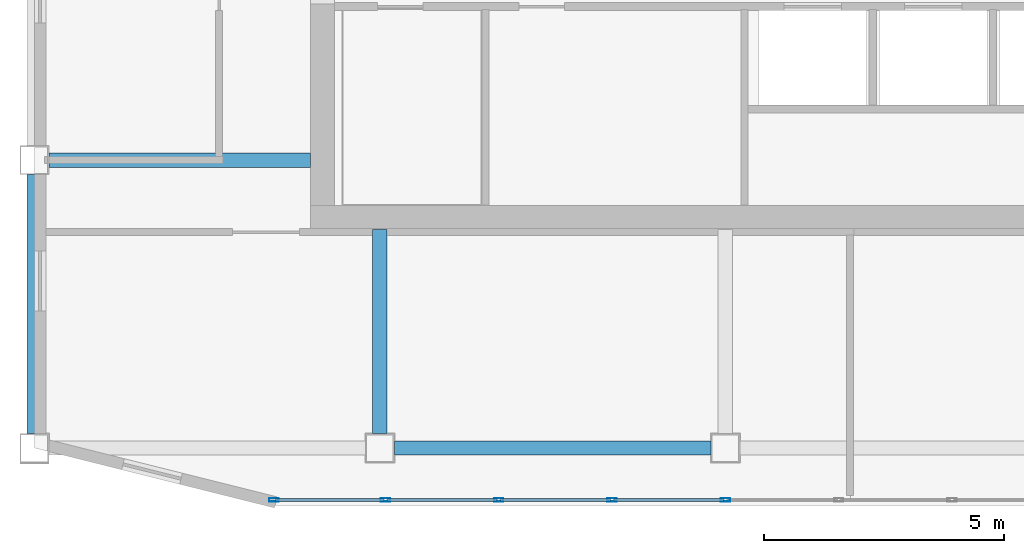
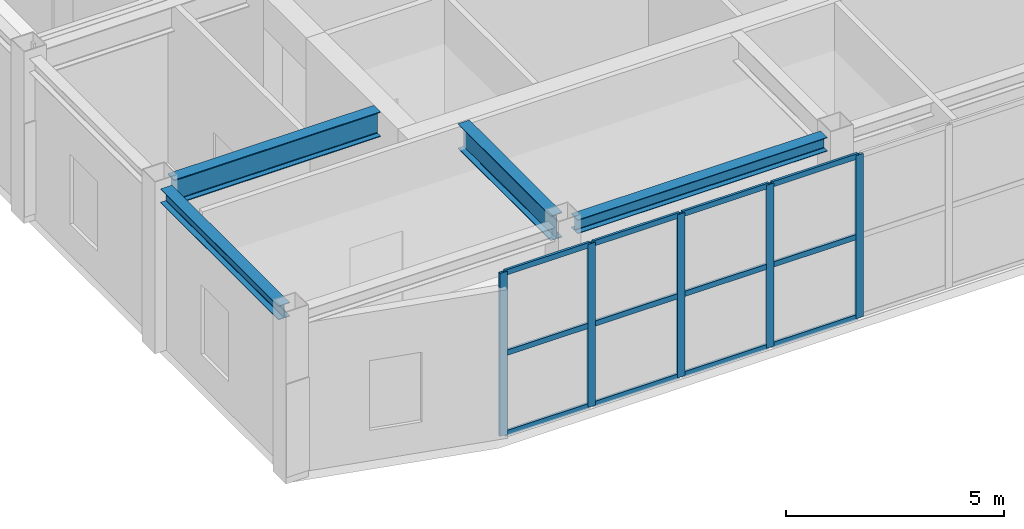
# One storey, part 2 of 11: 17 members, 4 beams, 1 element without a shape of its own.
"""IFC4 building model written with IfcOpenShell, lengths in metres."""

import ifcopenshell
import ifcopenshell.guid

model = None  # the IFC model being written
_history = None  # IfcOwnerHistory: only IFC2X3 demands one
_inside = {}  # id of a spatial element -> (the spatial element, [elements in it])
_under = {}  # id of a project, library or spatial element -> (it, [spatial elements below it])
_declared = {}  # id of a project -> (the project, [libraries it declares])
_typed = {}  # id of a type object -> (the type object, [elements of that type])
_made_of = {}  # id of a material, layer set ... -> (it, [elements and type objects made of it])


def new_model(schema):
    """Start an empty IFC model of exactly this schema.

    Asked for "IFC4X3", IfcOpenShell would pick the latest addendum, in which some entities
    have other attributes; the version numbers below select the first issue.
    IFC2X3 requires an IfcOwnerHistory on every rooted entity: one is made here for all.
    """
    global model, _history
    if schema == "IFC4X3":
        model = ifcopenshell.file(schema_version=(4, 3, 0, 0))
    else:
        model = ifcopenshell.file(schema=schema)
    _inside.clear()
    _under.clear()
    _declared.clear()
    _typed.clear()
    _made_of.clear()
    _history = None
    if model.schema == "IFC2X3":
        org = make("IfcOrganization", Name="unknown")
        user = make(
            "IfcPersonAndOrganization",
            ThePerson=make("IfcPerson", FamilyName="unknown"),
            TheOrganization=org,
        )
        app = make(
            "IfcApplication",
            ApplicationDeveloper=org,
            Version="unknown",
            ApplicationFullName="unknown",
            ApplicationIdentifier="unknown",
        )
        _history = make(
            "IfcOwnerHistory",
            OwningUser=user,
            OwningApplication=app,
            ChangeAction="ADDED",
            CreationDate=0,
        )
    return model


def make(cls, **values):
    """One entity of the class cls with the attributes given. An attribute that is None is left unset."""
    return model.create_entity(
        cls, **{name: value for name, value in values.items() if value is not None}
    )


def rooted(cls, **values):
    """An entity with a GlobalId (a new one), such as an element, a storey or a relation."""
    return make(cls, GlobalId=ifcopenshell.guid.new(), OwnerHistory=_history, **values)


def si_unit(unit_type, name, prefix=None):
    """IfcSIUnit, for example si_unit("LENGTHUNIT", "METRE", prefix="MILLI")."""
    return make("IfcSIUnit", UnitType=unit_type, Prefix=prefix, Name=name)


def assignment(units):
    """IfcUnitAssignment: the units of a project."""
    return None if units is None else make("IfcUnitAssignment", Units=units)


def point(xyz):
    """IfcCartesianPoint."""
    return None if xyz is None else make("IfcCartesianPoint", Coordinates=xyz)


def direction(xyz):
    """IfcDirection."""
    return None if xyz is None else make("IfcDirection", DirectionRatios=xyz)


def frame(location, z_axis=None, x_axis=None):
    """IfcAxis2Placement3D, a coordinate frame: its origin and axes. An axis left out is left unset."""
    return make(
        "IfcAxis2Placement3D",
        Location=point(location),
        Axis=direction(z_axis),
        RefDirection=direction(x_axis),
    )


def frame_2d(location, x_axis=None):
    """IfcAxis2Placement2D, a coordinate frame in the plane: its origin and x axis."""
    return make(
        "IfcAxis2Placement2D", Location=point(location), RefDirection=direction(x_axis)
    )


def origin():
    """The frame at (0, 0, 0) with its axes left unset."""
    return frame((0.0, 0.0, 0.0))


def origin_2d():
    """The frame at (0, 0) in the plane with its x axis left unset."""
    return frame_2d((0.0, 0.0))


def place(relative_to, where):
    """IfcLocalPlacement: puts the frame where relative to a parent placement (None: the world)."""
    return make(
        "IfcLocalPlacement", PlacementRelTo=relative_to, RelativePlacement=where
    )


def context(
    kind, dimensions, precision=None, world=None, true_north=None, identifier=None
):
    """IfcGeometricRepresentationContext, for example the 3D "Model" context."""
    return make(
        "IfcGeometricRepresentationContext",
        ContextIdentifier=identifier,
        ContextType=kind,
        CoordinateSpaceDimension=dimensions,
        Precision=precision,
        WorldCoordinateSystem=world,
        TrueNorth=true_north,
    )


def subcontext(parent, identifier, kind, view, scale=None):
    """IfcGeometricRepresentationSubContext, for example "Body" below "Model"."""
    return make(
        "IfcGeometricRepresentationSubContext",
        ContextIdentifier=identifier,
        ContextType=kind,
        ParentContext=parent,
        TargetScale=scale,
        TargetView=view,
    )


def project(units=None, contexts=None):
    """IfcProject with its units and contexts."""
    return rooted(
        "IfcProject",
        Name="project",
        RepresentationContexts=contexts,
        UnitsInContext=assignment(units),
    )


def spatial(cls, under=None, at=None, **own):
    """A site, building, storey or space (cls), placed at a placement, below another one or the project."""
    s = rooted(cls, ObjectPlacement=at, **own)
    if under is not None:
        _under.setdefault(under.id(), (under, []))[1].append(s)
    return s


def profile(cls, at=None, kind="AREA", **sizes):
    """A parametric profile (cls). Its sizes go by their IFC names, for example OverallWidth=200.0."""
    return make(cls, ProfileType=kind, Position=at, **sizes)


def hollow_rectangle(**sizes):
    """IfcRectangleHollowProfileDef."""
    return profile("IfcRectangleHollowProfileDef", **sizes)


def i_section(**sizes):
    """IfcIShapeProfileDef."""
    return profile("IfcIShapeProfileDef", **sizes)


def extrude(swept, where, along, depth):
    """IfcExtrudedAreaSolid: the profile swept, set in the frame where, extruded along a direction by depth."""
    return make(
        "IfcExtrudedAreaSolid",
        SweptArea=swept,
        Position=where,
        ExtrudedDirection=direction(along),
        Depth=depth,
    )


def shape(context_of_items, identifier, shape_type, items):
    """IfcShapeRepresentation: the items that make up one representation, for example the "Body"."""
    return make(
        "IfcShapeRepresentation",
        ContextOfItems=context_of_items,
        RepresentationIdentifier=identifier,
        RepresentationType=shape_type,
        Items=items,
    )


def material(Name=None, Category=None):
    """IfcMaterial."""
    return make("IfcMaterial", Name=Name, Category=Category)


def layer(
    of_material, thickness, ventilated=None, Name=None, Category=None, Priority=None
):
    """IfcMaterialLayer: one layer of a wall or slab, of a material (None: an air gap)."""
    return make(
        "IfcMaterialLayer",
        Material=of_material,
        LayerThickness=thickness,
        IsVentilated=ventilated,
        Name=Name,
        Category=Category,
        Priority=Priority,
    )


def layer_set(layers, Name=None):
    """IfcMaterialLayerSet."""
    return make("IfcMaterialLayerSet", MaterialLayers=layers, LayerSetName=Name)


def material_profile(
    of_material, cross_section, Name=None, Category=None, Priority=None
):
    """IfcMaterialProfile: a cross section and its material."""
    return make(
        "IfcMaterialProfile",
        Name=Name,
        Material=of_material,
        Profile=cross_section,
        Priority=Priority,
        Category=Category,
    )


def profile_set(profiles, Name=None, composite=None):
    """IfcMaterialProfileSet."""
    return make(
        "IfcMaterialProfileSet",
        Name=Name,
        MaterialProfiles=profiles,
        CompositeProfile=composite,
    )


def made_of(thing, what):
    """Note that an element or type object is made of a material, layer set ...; save() writes the relation."""
    if what is not None:
        _made_of.setdefault(what.id(), (what, []))[1].append(thing)
    return thing


def type_object(cls, material=None, **own):
    """A type object (cls), such as IfcWallType, which elements share."""
    return made_of(rooted(cls, **own), material)


def element(
    cls,
    number,
    at=None,
    inside=None,
    cuts=None,
    type_object=None,
    material=None,
    context=None,
    identifier="Body",
    shape_type=None,
    held_by="IfcProductDefinitionShape",
    body=None,
    shapes=None,
    **own,
):
    """One element of the class cls, such as IfcWall. Its Tag is "e" and its number.

    at: its placement. inside: the storey or other place that contains it. cuts: it is an
    opening in that element (IfcRelVoidsElement). A single representation is given by context,
    identifier, shape_type and body (its items); several are given by shapes. held_by: the class
    of the entity that holds the representations. save() writes the other relations.
    """
    e = rooted(cls, Tag="e%d" % number, ObjectPlacement=at, **own)
    if body is not None:
        shapes = [shape(context, identifier, shape_type, body)]
    if shapes is not None:
        e.Representation = make(held_by, Representations=shapes)
    if inside is not None:
        _inside.setdefault(inside.id(), (inside, []))[1].append(e)
    if cuts is not None:
        rooted(
            "IfcRelVoidsElement", RelatingBuildingElement=cuts, RelatedOpeningElement=e
        )
    if type_object is not None:
        _typed.setdefault(type_object.id(), (type_object, []))[1].append(e)
    return made_of(e, material)


def aggregate(whole, parts):
    """IfcRelAggregates: a whole, such as a stair, and the parts it consists of."""
    return rooted("IfcRelAggregates", RelatingObject=whole, RelatedObjects=parts)


def save(model, path):
    """Write the relations noted so far, then the file.

    IfcRelAggregates (storeys below a building ...), IfcRelContainedInSpatialStructure (elements
    in a storey), IfcRelDefinesByType, IfcRelAssociatesMaterial and IfcRelDeclares: one each for
    every whole, place, type object, material and project.
    """
    for whole, parts in _under.values():
        aggregate(whole, parts)
    for where, things in _inside.values():
        rooted(
            "IfcRelContainedInSpatialStructure",
            RelatedElements=things,
            RelatingStructure=where,
        )
    for kind, things in _typed.values():
        rooted("IfcRelDefinesByType", RelatedObjects=things, RelatingType=kind)
    for what, things in _made_of.values():
        rooted("IfcRelAssociatesMaterial", RelatedObjects=things, RelatingMaterial=what)
    for by, libraries in _declared.values():
        rooted("IfcRelDeclares", RelatingContext=by, RelatedDefinitions=libraries)
    model.write(path)


model = new_model("IFC4")

# Units and contexts
model_context = context("Model", 3, precision=1e-05, world=origin(), true_north=direction((0.0, 1.0)))
body_context = subcontext(model_context, "Body", "Model", "MODEL_VIEW")
ifc_project = project(units=[si_unit("LENGTHUNIT", "METRE"), si_unit("AREAUNIT", "SQUARE_METRE"), si_unit("VOLUMEUNIT", "CUBIC_METRE"), si_unit("PLANEANGLEUNIT", "RADIAN"), si_unit("MASSUNIT", "GRAM", prefix="KILO")], contexts=[model_context])

# Site, building, storey
site_placement = place(None, origin())
site = spatial("IfcSite", under=ifc_project, at=site_placement, CompositionType="ELEMENT")
building_placement = place(site_placement, origin())
building = spatial("IfcBuilding", under=site, at=building_placement, Name="Haolan Belvedere Tower", CompositionType="ELEMENT")
storey_placement = place(building_placement, frame((0.0, 0.0, 313.39990234375)))
storey = spatial("IfcBuildingStorey", under=building, at=storey_placement, Name="L79", CompositionType="ELEMENT", Elevation=313.39990234375)

# Beams
ifc_material_1 = material(Name="Steel Q355B", Category="steel")
ifc_material_profile_1 = material_profile(ifc_material_1, i_section(OverallWidth=0.300048828125, OverallDepth=0.389892578125, WebThickness=0.010009765625, FlangeThickness=0.01611328125, FilletRadius=0.02197265625, at=origin_2d()), Name="Steel Q355B")
ifc_profile_set_1 = profile_set([ifc_material_profile_1], Name="Steel Q355B")
beam_type_1 = type_object("IfcBeamType", Name="BM-HM390x300x10x16", PredefinedType="SPANDREL", material=ifc_profile_set_1)
beam_1_placement = place(storey_placement, frame((24.0, 21.89990234375, 4.364990234375), z_axis=(0.0, 1.0, 0.0), x_axis=(-1.0, 0.0, 0.0)))
element("IfcBeam", 1, at=beam_1_placement, inside=storey, type_object=beam_type_1, Name="L79 spandrel girder MC-T3-SW-TC-T3-W1", PredefinedType="SPANDREL", context=body_context, shape_type="SweptSolid", body=[
    extrude(i_section(OverallWidth=0.300048828125, OverallDepth=0.389892578125, WebThickness=0.010009765625, FlangeThickness=0.01611328125, FilletRadius=0.02197265625, at=origin_2d()), origin(), (0.0, 0.0, 1.0), 5.400146484375),
])
beam_2_placement = place(storey_placement, frame((31.5, 21.60009765625, 4.364990234375), z_axis=(1.0, 0.0, 0.0), x_axis=(0.0, 1.0, 0.0)))
element("IfcBeam", 2, at=beam_2_placement, inside=storey, type_object=beam_type_1, Name="L79 spandrel girder MC-T3-S1-TC-T3-SM", PredefinedType="SPANDREL", context=body_context, shape_type="SweptSolid", body=[
    extrude(i_section(OverallWidth=0.300048828125, OverallDepth=0.389892578125, WebThickness=0.010009765625, FlangeThickness=0.01611328125, FilletRadius=0.02197265625, at=origin_2d()), origin(), (0.0, 0.0, 1.0), 6.60009765625),
])
ifc_material_profile_2 = material_profile(ifc_material_1, i_section(OverallWidth=0.300048828125, OverallDepth=0.699951171875, WebThickness=0.012939453125, FlangeThickness=0.02392578125, FilletRadius=0.02587890625, at=origin_2d()), Name="Steel Q355B")
ifc_profile_set_2 = profile_set([ifc_material_profile_2], Name="Steel Q355B")
beam_type_2 = type_object("IfcBeamType", Name="BM-HN700x300x13x24", PredefinedType="BEAM", material=ifc_profile_set_2)
beam_3_placement = place(storey_placement, frame((24.300048828125, 27.60009765625, 4.210205078125), z_axis=(1.0, 0.0, 0.0), x_axis=(0.0, 1.0, 0.0)))
element("IfcBeam", 3, at=beam_3_placement, inside=storey, type_object=beam_type_2, Name="L79 core tie beam from TC-T3-W1", PredefinedType="BEAM", context=body_context, shape_type="SweptSolid", body=[
    extrude(i_section(OverallWidth=0.300048828125, OverallDepth=0.699951171875, WebThickness=0.012939453125, FlangeThickness=0.02392578125, FilletRadius=0.02587890625, at=origin_2d()), origin(), (0.0, 0.0, 1.0), 5.449951171875),
])
beam_4_placement = place(storey_placement, frame((31.199951171875, 21.89990234375, 4.210205078125), z_axis=(0.0, 1.0, 0.0), x_axis=(-1.0, 0.0, 0.0)))
element("IfcBeam", 4, at=beam_4_placement, inside=storey, type_object=beam_type_2, Name="L79 core tie beam from MC-T3-S1", PredefinedType="BEAM", context=body_context, shape_type="SweptSolid", body=[
    extrude(i_section(OverallWidth=0.300048828125, OverallDepth=0.699951171875, WebThickness=0.012939453125, FlangeThickness=0.02392578125, FilletRadius=0.02587890625, at=origin_2d()), origin(), (0.0, 0.0, 1.0), 4.25),
])

# Curtain wall, members
ifc_material_2 = material(Name="Anodised champagne-silver aluminium 6063-T6 and Low-E glass", Category="aluminium")
ifc_layer = layer(ifc_material_2, 0.195068359375, Name="Anodised champagne-silver aluminium 6063-T6 and Low-E glass")
ifc_layer_set = layer_set([ifc_layer], Name="Anodised champagne-silver aluminium 6063-T6 and Low-E glass")
curtain_wall_type = type_object("IfcCurtainWallType", Name="CW-SYS-06", PredefinedType="NOTDEFINED", material=ifc_layer_set)
curtain_wall_placement = place(storey_placement, origin())
curtain_wall = element("IfcCurtainWall", 5, at=curtain_wall_placement, inside=storey, type_object=curtain_wall_type, Name="L79 CW-SYS-06 ribbon curtain wall 1.1", PredefinedType="NOTDEFINED")
ifc_material_3 = material(Name="Anodised aluminium 6063-T6", Category="aluminium")
ifc_material_profile_3 = material_profile(ifc_material_3, hollow_rectangle(XDim=0.070068359375, YDim=0.195068359375, WallThickness=0.00390625, at=origin_2d()), Name="Anodised aluminium 6063-T6")
ifc_profile_set_3 = profile_set([ifc_material_profile_3], Name="Anodised aluminium 6063-T6")
member_type_1 = type_object("IfcMemberType", Name="CW-SYS-06-MUL", PredefinedType="MULLION", material=ifc_profile_set_3)
member_1_placement = place(storey_placement, frame((28.98974609375, 20.52001953125, 0.0), z_axis=(0.0, 0.0, 1.0), x_axis=(0.0, 1.0, 0.0)))
member_1 = element("IfcMember", 6, at=member_1_placement, type_object=member_type_1, Name="CW-06 mullion 1", PredefinedType="MULLION", context=body_context, shape_type="SweptSolid", body=[
    extrude(hollow_rectangle(XDim=0.070068359375, YDim=0.195068359375, WallThickness=0.00390625, at=origin_2d()), origin(), (0.0, 0.0, 1.0), 4.56005859375),
])
member_2_placement = place(storey_placement, frame((31.316162109375, 20.52001953125, 0.0), z_axis=(0.0, 0.0, 1.0), x_axis=(0.0, 1.0, 0.0)))
member_2 = element("IfcMember", 7, at=member_2_placement, type_object=member_type_1, Name="CW-06 mullion 2", PredefinedType="MULLION", context=body_context, shape_type="SweptSolid", body=[
    extrude(hollow_rectangle(XDim=0.070068359375, YDim=0.195068359375, WallThickness=0.00390625, at=origin_2d()), origin(), (0.0, 0.0, 1.0), 4.56005859375),
])
member_3_placement = place(storey_placement, frame((33.677490234375, 20.52001953125, 0.0), z_axis=(0.0, 0.0, 1.0), x_axis=(0.0, 1.0, 0.0)))
member_3 = element("IfcMember", 8, at=member_3_placement, type_object=member_type_1, Name="CW-06 mullion 3", PredefinedType="MULLION", context=body_context, shape_type="SweptSolid", body=[
    extrude(hollow_rectangle(XDim=0.070068359375, YDim=0.195068359375, WallThickness=0.00390625, at=origin_2d()), origin(), (0.0, 0.0, 1.0), 4.56005859375),
])
member_4_placement = place(storey_placement, frame((36.038818359375, 20.52001953125, 0.0), z_axis=(0.0, 0.0, 1.0), x_axis=(0.0, 1.0, 0.0)))
member_4 = element("IfcMember", 9, at=member_4_placement, type_object=member_type_1, Name="CW-06 mullion 4", PredefinedType="MULLION", context=body_context, shape_type="SweptSolid", body=[
    extrude(hollow_rectangle(XDim=0.070068359375, YDim=0.195068359375, WallThickness=0.00390625, at=origin_2d()), origin(), (0.0, 0.0, 1.0), 4.56005859375),
])
member_5_placement = place(storey_placement, frame((38.39990234375, 20.52001953125, 0.0), z_axis=(0.0, 0.0, 1.0), x_axis=(0.0, 1.0, 0.0)))
member_5 = element("IfcMember", 10, at=member_5_placement, type_object=member_type_1, Name="CW-06 mullion 5", PredefinedType="MULLION", context=body_context, shape_type="SweptSolid", body=[
    extrude(hollow_rectangle(XDim=0.070068359375, YDim=0.195068359375, WallThickness=0.00390625, at=origin_2d()), origin(), (0.0, 0.0, 1.0), 4.56005859375),
])
ifc_material_profile_4 = material_profile(ifc_material_3, hollow_rectangle(XDim=0.06494140625, YDim=0.14990234375, WallThickness=0.00390625, at=origin_2d()), Name="Anodised aluminium 6063-T6")
ifc_profile_set_4 = profile_set([ifc_material_profile_4], Name="Anodised aluminium 6063-T6")
member_type_2 = type_object("IfcMemberType", Name="CW-SYS-06-TRN", PredefinedType="USERDEFINED", material=ifc_profile_set_4)
member_6_placement = place(storey_placement, frame((29.02490234375, 20.52001953125, 0.03271484375), z_axis=(1.0, 0.0, 0.0), x_axis=(0.0, 1.0, 0.0)))
member_6 = element("IfcMember", 11, at=member_6_placement, type_object=member_type_2, Name="CW-06 transom 1.1", ObjectType="TRANSOM", PredefinedType="USERDEFINED", context=body_context, shape_type="SweptSolid", body=[
    extrude(hollow_rectangle(XDim=0.06494140625, YDim=0.14990234375, WallThickness=0.00390625, at=origin_2d()), origin(), (0.0, 0.0, 1.0), 2.256103515625),
])
member_7_placement = place(storey_placement, frame((29.02490234375, 20.52001953125, 2.280029296875), z_axis=(1.0, 0.0, 0.0), x_axis=(0.0, 1.0, 0.0)))
member_7 = element("IfcMember", 12, at=member_7_placement, type_object=member_type_2, Name="CW-06 transom 1.2", ObjectType="TRANSOM", PredefinedType="USERDEFINED", context=body_context, shape_type="SweptSolid", body=[
    extrude(hollow_rectangle(XDim=0.06494140625, YDim=0.14990234375, WallThickness=0.00390625, at=origin_2d()), origin(), (0.0, 0.0, 1.0), 2.256103515625),
])
member_8_placement = place(storey_placement, frame((29.02490234375, 20.52001953125, 4.527587890625), z_axis=(1.0, 0.0, 0.0), x_axis=(0.0, 1.0, 0.0)))
member_8 = element("IfcMember", 13, at=member_8_placement, type_object=member_type_2, Name="CW-06 transom 1.3", ObjectType="TRANSOM", PredefinedType="USERDEFINED", context=body_context, shape_type="SweptSolid", body=[
    extrude(hollow_rectangle(XDim=0.06494140625, YDim=0.14990234375, WallThickness=0.00390625, at=origin_2d()), origin(), (0.0, 0.0, 1.0), 2.256103515625),
])
member_9_placement = place(storey_placement, frame((31.35107421875, 20.52001953125, 0.03271484375), z_axis=(1.0, 0.0, 0.0), x_axis=(0.0, 1.0, 0.0)))
member_9 = element("IfcMember", 14, at=member_9_placement, type_object=member_type_2, Name="CW-06 transom 2.1", ObjectType="TRANSOM", PredefinedType="USERDEFINED", context=body_context, shape_type="SweptSolid", body=[
    extrude(hollow_rectangle(XDim=0.06494140625, YDim=0.14990234375, WallThickness=0.00390625, at=origin_2d()), origin(), (0.0, 0.0, 1.0), 2.291259765625),
])
member_10_placement = place(storey_placement, frame((31.35107421875, 20.52001953125, 2.280029296875), z_axis=(1.0, 0.0, 0.0), x_axis=(0.0, 1.0, 0.0)))
member_10 = element("IfcMember", 15, at=member_10_placement, type_object=member_type_2, Name="CW-06 transom 2.2", ObjectType="TRANSOM", PredefinedType="USERDEFINED", context=body_context, shape_type="SweptSolid", body=[
    extrude(hollow_rectangle(XDim=0.06494140625, YDim=0.14990234375, WallThickness=0.00390625, at=origin_2d()), origin(), (0.0, 0.0, 1.0), 2.291259765625),
])
member_11_placement = place(storey_placement, frame((31.35107421875, 20.52001953125, 4.527587890625), z_axis=(1.0, 0.0, 0.0), x_axis=(0.0, 1.0, 0.0)))
member_11 = element("IfcMember", 16, at=member_11_placement, type_object=member_type_2, Name="CW-06 transom 2.3", ObjectType="TRANSOM", PredefinedType="USERDEFINED", context=body_context, shape_type="SweptSolid", body=[
    extrude(hollow_rectangle(XDim=0.06494140625, YDim=0.14990234375, WallThickness=0.00390625, at=origin_2d()), origin(), (0.0, 0.0, 1.0), 2.291259765625),
])
member_12_placement = place(storey_placement, frame((33.71240234375, 20.52001953125, 0.03271484375), z_axis=(1.0, 0.0, 0.0), x_axis=(0.0, 1.0, 0.0)))
member_12 = element("IfcMember", 17, at=member_12_placement, type_object=member_type_2, Name="CW-06 transom 3.1", ObjectType="TRANSOM", PredefinedType="USERDEFINED", context=body_context, shape_type="SweptSolid", body=[
    extrude(hollow_rectangle(XDim=0.06494140625, YDim=0.14990234375, WallThickness=0.00390625, at=origin_2d()), origin(), (0.0, 0.0, 1.0), 2.291259765625),
])
member_13_placement = place(storey_placement, frame((33.71240234375, 20.52001953125, 2.280029296875), z_axis=(1.0, 0.0, 0.0), x_axis=(0.0, 1.0, 0.0)))
member_13 = element("IfcMember", 18, at=member_13_placement, type_object=member_type_2, Name="CW-06 transom 3.2", ObjectType="TRANSOM", PredefinedType="USERDEFINED", context=body_context, shape_type="SweptSolid", body=[
    extrude(hollow_rectangle(XDim=0.06494140625, YDim=0.14990234375, WallThickness=0.00390625, at=origin_2d()), origin(), (0.0, 0.0, 1.0), 2.291259765625),
])
member_14_placement = place(storey_placement, frame((33.71240234375, 20.52001953125, 4.527587890625), z_axis=(1.0, 0.0, 0.0), x_axis=(0.0, 1.0, 0.0)))
member_14 = element("IfcMember", 19, at=member_14_placement, type_object=member_type_2, Name="CW-06 transom 3.3", ObjectType="TRANSOM", PredefinedType="USERDEFINED", context=body_context, shape_type="SweptSolid", body=[
    extrude(hollow_rectangle(XDim=0.06494140625, YDim=0.14990234375, WallThickness=0.00390625, at=origin_2d()), origin(), (0.0, 0.0, 1.0), 2.291259765625),
])
member_15_placement = place(storey_placement, frame((36.07373046875, 20.52001953125, 0.03271484375), z_axis=(1.0, 0.0, 0.0), x_axis=(0.0, 1.0, 0.0)))
member_15 = element("IfcMember", 20, at=member_15_placement, type_object=member_type_2, Name="CW-06 transom 4.1", ObjectType="TRANSOM", PredefinedType="USERDEFINED", context=body_context, shape_type="SweptSolid", body=[
    extrude(hollow_rectangle(XDim=0.06494140625, YDim=0.14990234375, WallThickness=0.00390625, at=origin_2d()), origin(), (0.0, 0.0, 1.0), 2.291259765625),
])
member_16_placement = place(storey_placement, frame((36.07373046875, 20.52001953125, 2.280029296875), z_axis=(1.0, 0.0, 0.0), x_axis=(0.0, 1.0, 0.0)))
member_16 = element("IfcMember", 21, at=member_16_placement, type_object=member_type_2, Name="CW-06 transom 4.2", ObjectType="TRANSOM", PredefinedType="USERDEFINED", context=body_context, shape_type="SweptSolid", body=[
    extrude(hollow_rectangle(XDim=0.06494140625, YDim=0.14990234375, WallThickness=0.00390625, at=origin_2d()), origin(), (0.0, 0.0, 1.0), 2.291259765625),
])
member_17_placement = place(storey_placement, frame((36.07373046875, 20.52001953125, 4.527587890625), z_axis=(1.0, 0.0, 0.0), x_axis=(0.0, 1.0, 0.0)))
member_17 = element("IfcMember", 22, at=member_17_placement, type_object=member_type_2, Name="CW-06 transom 4.3", ObjectType="TRANSOM", PredefinedType="USERDEFINED", context=body_context, shape_type="SweptSolid", body=[
    extrude(hollow_rectangle(XDim=0.06494140625, YDim=0.14990234375, WallThickness=0.00390625, at=origin_2d()), origin(), (0.0, 0.0, 1.0), 2.291259765625),
])
aggregate(curtain_wall, [member_1, member_2, member_3, member_4, member_5, member_6, member_7, member_8, member_9, member_10, member_11, member_12, member_13, member_14, member_15, member_16, member_17])

save(model, "model.ifc")
